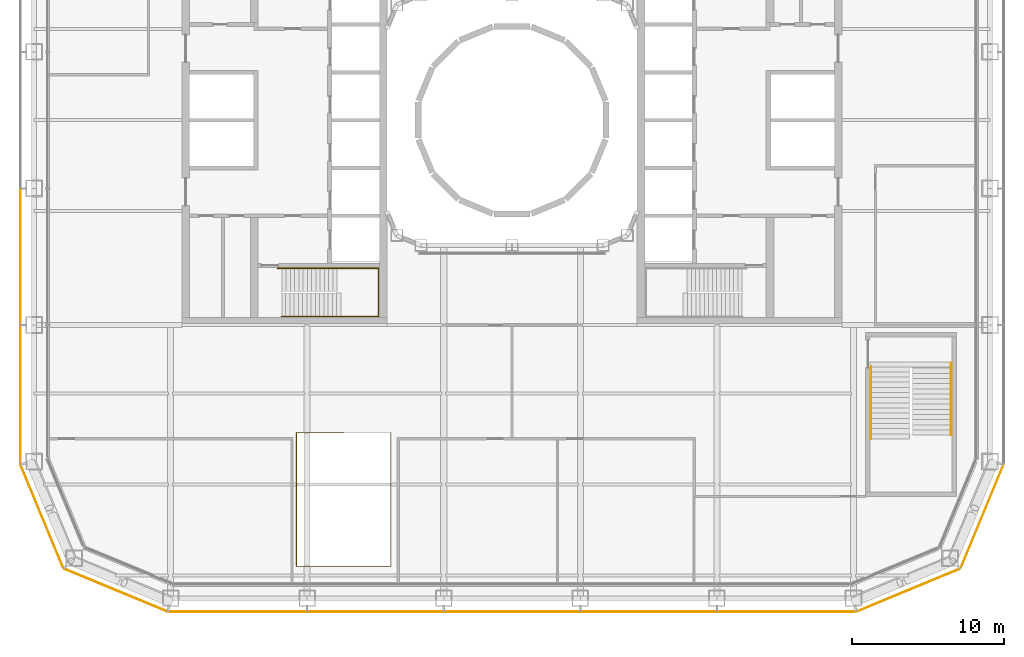
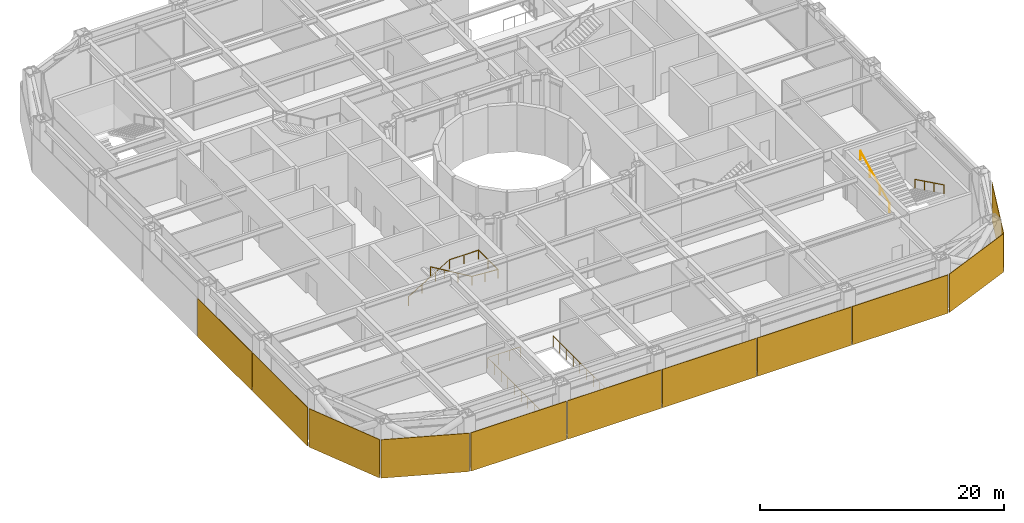
# One storey, part 20 of 24: 11 coverings, 4 railings.
"""IFC4 building model written with IfcOpenShell, lengths in metres."""

from ifc_helpers import new_model, si_unit, direction, frame, origin, origin_2d, place, context, subcontext, project, spatial, rectangle, circle, extrude, material, layer, layer_set, type_object, element, save


model = new_model("IFC4")

# Units and contexts
model_context = context("Model", 3, precision=1e-05, world=origin(), true_north=direction((0.0, 1.0)))
body_context = subcontext(model_context, "Body", "Model", "MODEL_VIEW")
ifc_project = project(units=[si_unit("LENGTHUNIT", "METRE"), si_unit("AREAUNIT", "SQUARE_METRE"), si_unit("VOLUMEUNIT", "CUBIC_METRE"), si_unit("PLANEANGLEUNIT", "RADIAN"), si_unit("MASSUNIT", "GRAM", prefix="KILO")], contexts=[model_context])

# Site, building, storey
site_placement = place(None, origin())
site = spatial("IfcSite", under=ifc_project, at=site_placement, CompositionType="ELEMENT")
building_placement = place(site_placement, origin())
building = spatial("IfcBuilding", under=site, at=building_placement, Name="Siwar Civic Tower", CompositionType="ELEMENT")
storey_placement = place(building_placement, frame((0.0, 0.0, 12.199951171875)))
storey = spatial("IfcBuildingStorey", under=building, at=storey_placement, Name="L02", CompositionType="ELEMENT", Elevation=12.199951171875)

# Railing
ifc_material_1 = material(Name="Stainless steel", Category="steel")
railing_type_1 = type_object("IfcRailingType", Name="CORE-STAIR-HANDRAIL", PredefinedType="HANDRAIL", material=ifc_material_1)
railing_1_placement = place(storey_placement, frame((-15.449951171875, -9.758056640625, 0.166748046875)))
element("IfcRailing", 1, at=railing_1_placement, inside=storey, type_object=railing_type_1, Name="Stair handrail ST2", PredefinedType="HANDRAIL", context=body_context, shape_type="SweptSolid", body=[
    extrude(circle(Radius=0.02001953125, at=origin_2d()), frame((0.0, 0.0, 0.8798828125), z_axis=(0.856384976194, 0.0, 0.516337847296), x_axis=(0.0, 1.0, 0.0)), (0.0, 0.0, 1.0), 4.518798828125),
    extrude(circle(Radius=0.02001953125, at=origin_2d()), frame((3.869873046875, 0.0, 3.213134765625), z_axis=(1.0, 0.0, 0.0), x_axis=(0.0, 1.0, 0.0)), (0.0, 0.0, 1.0), 2.77197265625),
    extrude(circle(Radius=0.02001953125, at=origin_2d()), frame((6.641845703125, 0.0, 3.213134765625), z_axis=(0.0, -1.0, 0.0), x_axis=(1.0, 0.0, 0.0)), (0.0, 0.0, 1.0), 3.183837890625),
    extrude(circle(Radius=0.02001953125, at=origin_2d()), frame((6.641845703125, -3.183837890625, 3.213134765625), z_axis=(-0.997732526271, 0.0, 0.067303833624), x_axis=(0.0, -1.0, 0.0)), (0.0, 0.0, 1.0), 2.4775390625),
    extrude(circle(Radius=0.02001953125, at=origin_2d()), frame((4.169921875, -3.183837890625, 3.3798828125), z_axis=(-0.859296244711, 0.0, 0.511478214419), x_axis=(0.0, -1.0, 0.0)), (0.0, 0.0, 1.0), 4.561767578125),
    extrude(circle(Radius=0.02001953125, at=origin_2d()), origin(), (0.0, 0.0, 1.0), 0.85986328125),
    extrude(circle(Radius=0.02001953125, at=origin_2d()), frame((1.2900390625, 0.0, 0.77783203125)), (0.0, 0.0, 1.0), 0.85986328125),
    extrude(circle(Radius=0.02001953125, at=origin_2d()), frame((2.579833984375, 0.0, 1.555419921875)), (0.0, 0.0, 1.0), 0.85986328125),
    extrude(circle(Radius=0.02001953125, at=origin_2d()), frame((3.869873046875, 0.0, 2.333251953125)), (0.0, 0.0, 1.0), 0.85986328125),
    extrude(circle(Radius=0.02001953125, at=origin_2d()), frame((5.255859375, 0.0, 2.333251953125)), (0.0, 0.0, 1.0), 0.85986328125),
    extrude(circle(Radius=0.02001953125, at=origin_2d()), frame((6.641845703125, 0.0, 2.333251953125)), (0.0, 0.0, 1.0), 0.85986328125),
    extrude(circle(Radius=0.02001953125, at=origin_2d()), frame((6.641845703125, -1.591796875, 2.333251953125)), (0.0, 0.0, 1.0), 0.85986328125),
    extrude(circle(Radius=0.02001953125, at=origin_2d()), frame((6.641845703125, -3.183837890625, 2.333251953125)), (0.0, 0.0, 1.0), 0.85986328125),
    extrude(circle(Radius=0.02001953125, at=origin_2d()), frame((5.40576171875, -3.183837890625, 2.41650390625)), (0.0, 0.0, 1.0), 0.85986328125),
    extrude(circle(Radius=0.02001953125, at=origin_2d()), frame((4.169921875, -3.183837890625, 2.5)), (0.0, 0.0, 1.0), 0.85986328125),
    extrude(circle(Radius=0.02001953125, at=origin_2d()), frame((2.86328125, -3.183837890625, 3.27783203125)), (0.0, 0.0, 1.0), 0.85986328125),
    extrude(circle(Radius=0.02001953125, at=origin_2d()), frame((1.556640625, -3.183837890625, 4.055419921875)), (0.0, 0.0, 1.0), 0.85986328125),
    extrude(circle(Radius=0.02001953125, at=origin_2d()), frame((0.25, -3.183837890625, 4.833251953125)), (0.0, 0.0, 1.0), 0.85986328125),
])

# Coverings
ifc_material_2 = material(Name="Perforated aluminium cassette, pale metal", Category="aluminium")
ifc_layer_1 = layer(ifc_material_2, 0.044921875)
ifc_layer_set_1 = layer_set([ifc_layer_1], Name="Perforated aluminium cassette, pale metal")
covering_type_1 = type_object("IfcCoveringType", Name="ENV-OUTER SKIN OS-2", PredefinedType="CLADDING", material=ifc_layer_set_1)
covering_1_placement = place(storey_placement, frame((30.976318359375, -26.115966796875, -0.199951171875), z_axis=(0.0, 0.0, 1.0), x_axis=(0.382683432365, 0.923879532511, 0.0)))
element("IfcCovering", 2, at=covering_1_placement, inside=storey, type_object=covering_type_1, Name="OUTER SKIN OS-2 SE2 1", PredefinedType="CLADDING", context=body_context, shape_type="SweptSolid", body=[
    extrude(rectangle(XDim=7.300048828125, YDim=0.044921875, at=origin_2d()), origin(), (0.0, 0.0, 1.0), 3.85009765625),
])
ifc_material_3 = material(Name="Perforated aluminium cassette, pale metal", Category="aluminium")
ifc_layer_2 = layer(ifc_material_3, 0.050048828125)
ifc_layer_set_2 = layer_set([ifc_layer_2], Name="Perforated aluminium cassette, pale metal")
covering_type_2 = type_object("IfcCoveringType", Name="ENV-OUTER SKIN OS-3", PredefinedType="CLADDING", material=ifc_layer_set_2)
covering_2_placement = place(storey_placement, frame((26.115966796875, -30.976318359375, -0.199951171875), z_axis=(0.0, 0.0, 1.0), x_axis=(0.923879532511, 0.382683432365, 0.0)))
element("IfcCovering", 3, at=covering_2_placement, inside=storey, type_object=covering_type_2, Name="OUTER SKIN OS-3 SE1 1", PredefinedType="CLADDING", context=body_context, shape_type="SweptSolid", body=[
    extrude(rectangle(XDim=7.300048828125, YDim=0.050048828125, at=origin_2d()), origin(), (0.0, 0.0, 1.0), 3.85009765625),
])
covering_3_placement = place(storey_placement, frame((-32.39990234375, -9.0, -0.199951171875), z_axis=(0.0, 0.0, 1.0), x_axis=(0.0, -1.0, 0.0)))
element("IfcCovering", 4, at=covering_3_placement, inside=storey, type_object=covering_type_2, Name="OUTER SKIN OS-3 W 4", PredefinedType="CLADDING", context=body_context, shape_type="SweptSolid", body=[
    extrude(rectangle(XDim=8.89990234375, YDim=0.050048828125, at=origin_2d()), origin(), (0.0, 0.0, 1.0), 3.85009765625),
])
covering_4_placement = place(storey_placement, frame((-32.39990234375, -18.07958984375, -0.199951171875), z_axis=(0.0, 0.0, 1.0), x_axis=(0.0, -1.0, 0.0)))
element("IfcCovering", 5, at=covering_4_placement, inside=storey, type_object=covering_type_2, Name="OUTER SKIN OS-3 W 5", PredefinedType="CLADDING", context=body_context, shape_type="SweptSolid", body=[
    extrude(rectangle(XDim=9.05908203125, YDim=0.050048828125, at=origin_2d()), origin(), (0.0, 0.0, 1.0), 3.85009765625),
])
ifc_material_4 = material(Name="Perforated aluminium cassette, pale metal", Category="aluminium")
ifc_layer_3 = layer(ifc_material_4, 0.054931640625)
ifc_layer_set_3 = layer_set([ifc_layer_3], Name="Perforated aluminium cassette, pale metal")
covering_type_3 = type_object("IfcCoveringType", Name="ENV-OUTER SKIN OS-4", PredefinedType="CLADDING", material=ifc_layer_set_3)
covering_5_placement = place(storey_placement, frame((-18.07958984375, -32.39990234375, -0.199951171875), z_axis=(0.0, 0.0, 1.0), x_axis=(1.0, 0.0, 0.0)))
element("IfcCovering", 6, at=covering_5_placement, inside=storey, type_object=covering_type_3, Name="OUTER SKIN OS-4 S 1", PredefinedType="CLADDING", context=body_context, shape_type="SweptSolid", body=[
    extrude(rectangle(XDim=9.05908203125, YDim=0.054931640625, at=origin_2d()), origin(), (0.0, 0.0, 1.0), 3.85009765625),
])
for number, where, z_axis, x_axis, name in (
    (7, (-9.0, -32.39990234375, -0.199951171875), (0.0, 0.0, 1.0), (1.0, 0.0, 0.0), "OUTER SKIN OS-4 S 2"),
    (8, (0.0, -32.39990234375, -0.199951171875), (0.0, 0.0, 1.0), (1.0, 0.0, 0.0), "OUTER SKIN OS-4 S 3"),
    (9, (9.0, -32.39990234375, -0.199951171875), (0.0, 0.0, 1.0), (1.0, 0.0, 0.0), "OUTER SKIN OS-4 S 4"),
):
    element("IfcCovering", number, at=place(storey_placement, frame(where, z_axis=z_axis, x_axis=x_axis)), inside=storey, type_object=covering_type_3, Name=name, PredefinedType="CLADDING", context=body_context, shape_type="SweptSolid", body=[
        extrude(rectangle(XDim=8.89990234375, YDim=0.054931640625, at=origin_2d()), origin(), (0.0, 0.0, 1.0), 3.85009765625),
    ])
covering_6_placement = place(storey_placement, frame((18.07958984375, -32.39990234375, -0.199951171875), z_axis=(0.0, 0.0, 1.0), x_axis=(1.0, 0.0, 0.0)))
element("IfcCovering", 10, at=covering_6_placement, inside=storey, type_object=covering_type_3, Name="OUTER SKIN OS-4 S 5", PredefinedType="CLADDING", context=body_context, shape_type="SweptSolid", body=[
    extrude(rectangle(XDim=9.05908203125, YDim=0.054931640625, at=origin_2d()), origin(), (0.0, 0.0, 1.0), 3.85009765625),
])
for number, where, z_axis, x_axis, name in (
    (11, (-30.976318359375, -26.115966796875, -0.199951171875), (0.0, 0.0, 1.0), (0.382683432365, -0.923879532511, 0.0), "OUTER SKIN OS-4 SW1 1"),
    (12, (-26.115966796875, -30.976318359375, -0.199951171875), (0.0, 0.0, 1.0), (0.923879532511, -0.382683432365, 0.0), "OUTER SKIN OS-4 SW2 1"),
):
    element("IfcCovering", number, at=place(storey_placement, frame(where, z_axis=z_axis, x_axis=x_axis)), inside=storey, type_object=covering_type_3, Name=name, PredefinedType="CLADDING", context=body_context, shape_type="SweptSolid", body=[
        extrude(rectangle(XDim=7.300048828125, YDim=0.054931640625, at=origin_2d()), origin(), (0.0, 0.0, 1.0), 3.85009765625),
    ])

# Railings
ifc_material_5 = material(Name="Stainless steel", Category="steel")
railing_type_2 = type_object("IfcRailingType", Name="GND-HANDRAIL", PredefinedType="HANDRAIL", material=ifc_material_5)
railing_2_placement = place(storey_placement, frame((28.94189453125, -16.0, 0.166748046875)))
element("IfcRailing", 13, at=railing_2_placement, inside=storey, type_object=railing_type_2, Name="Stair handrail ST6", PredefinedType="HANDRAIL", context=body_context, shape_type="SweptSolid", body=[
    extrude(circle(Radius=0.02001953125, at=origin_2d()), frame((0.0, 0.0, 0.8798828125), z_axis=(0.0, -0.897927146867, 0.440144111535), x_axis=(1.0, 0.0, 0.0)), (0.0, 0.0, 1.0), 5.301025390625),
    extrude(circle(Radius=0.02001953125, at=origin_2d()), origin(), (0.0, 0.0, 1.0), 0.85986328125),
    extrude(circle(Radius=0.02001953125, at=origin_2d()), frame((0.0, -1.586669921875, 0.77783203125)), (0.0, 0.0, 1.0), 0.85986328125),
    extrude(circle(Radius=0.02001953125, at=origin_2d()), frame((0.0, -3.17333984375, 1.555419921875)), (0.0, 0.0, 1.0), 0.85986328125),
    extrude(circle(Radius=0.02001953125, at=origin_2d()), frame((0.0, -4.760009765625, 2.333251953125)), (0.0, 0.0, 1.0), 0.85986328125),
])
railing_3_placement = place(storey_placement, frame((23.657958984375, -21.010009765625, 2.666748046875)))
element("IfcRailing", 14, at=railing_3_placement, inside=storey, type_object=railing_type_2, Name="Stair handrail ST6", PredefinedType="HANDRAIL", context=body_context, shape_type="SweptSolid", body=[
    extrude(circle(Radius=0.02001953125, at=origin_2d()), frame((0.0, 0.0, 0.8798828125), z_axis=(0.0, 0.897927146867, 0.440144111535), x_axis=(-1.0, 0.0, 0.0)), (0.0, 0.0, 1.0), 5.301025390625),
    extrude(circle(Radius=0.02001953125, at=origin_2d()), origin(), (0.0, 0.0, 1.0), 0.85986328125),
    extrude(circle(Radius=0.02001953125, at=origin_2d()), frame((0.0, 1.586669921875, 0.77783203125)), (0.0, 0.0, 1.0), 0.85986328125),
    extrude(circle(Radius=0.02001953125, at=origin_2d()), frame((0.0, 3.17333984375, 1.555419921875)), (0.0, 0.0, 1.0), 0.85986328125),
    extrude(circle(Radius=0.02001953125, at=origin_2d()), frame((0.0, 4.760009765625, 2.333251953125)), (0.0, 0.0, 1.0), 0.85986328125),
])
ifc_material_6 = material(Name="Stainless steel", Category="steel")
railing_type_3 = type_object("IfcRailingType", Name="GND-RAIL", PredefinedType="GUARDRAIL", material=ifc_material_6)
railing_4_placement = place(storey_placement, frame((-11.10009765625, -20.60009765625, 0.0)))
element("IfcRailing", 15, at=railing_4_placement, inside=storey, type_object=railing_type_3, Name="Opening guard GS1", PredefinedType="GUARDRAIL", context=body_context, shape_type="SweptSolid", body=[
    extrude(circle(Radius=0.02392578125, at=origin_2d()), frame((0.0, 0.0, 1.076171875), z_axis=(-1.0, 0.0, 0.0), x_axis=(0.0, -1.0, 0.0)), (0.0, 0.0, 1.0), 3.099853515625),
    extrude(circle(Radius=0.02392578125, at=origin_2d()), frame((-3.099853515625, 0.0, 1.076171875), z_axis=(0.0, -1.0, 0.0), x_axis=(1.0, 0.0, 0.0)), (0.0, 0.0, 1.0), 8.7998046875),
    extrude(circle(Radius=0.02392578125, at=origin_2d()), frame((-3.099853515625, -8.7998046875, 1.076171875), z_axis=(1.0, 0.0, 0.0), x_axis=(0.0, 1.0, 0.0)), (0.0, 0.0, 1.0), 6.199951171875),
    extrude(circle(Radius=0.02392578125, at=origin_2d()), frame((3.10009765625, -8.7998046875, 1.076171875), z_axis=(0.0, 1.0, 0.0), x_axis=(-1.0, 0.0, 0.0)), (0.0, 0.0, 1.0), 8.7998046875),
    extrude(circle(Radius=0.02099609375, at=origin_2d()), origin(), (0.0, 0.0, 1.0), 1.052001953125),
    extrude(circle(Radius=0.02099609375, at=origin_2d()), frame((-1.033203125, 0.0, 0.0)), (0.0, 0.0, 1.0), 1.052001953125),
    extrude(circle(Radius=0.02099609375, at=origin_2d()), frame((-2.066650390625, 0.0, 0.0)), (0.0, 0.0, 1.0), 1.052001953125),
    extrude(circle(Radius=0.02099609375, at=origin_2d()), frame((-3.099853515625, 0.0, 0.0)), (0.0, 0.0, 1.0), 1.052001953125),
    extrude(circle(Radius=0.02099609375, at=origin_2d()), frame((-3.099853515625, -1.10009765625, 0.0)), (0.0, 0.0, 1.0), 1.052001953125),
    extrude(circle(Radius=0.02099609375, at=origin_2d()), frame((-3.099853515625, -2.199951171875, 0.0)), (0.0, 0.0, 1.0), 1.052001953125),
    extrude(circle(Radius=0.02099609375, at=origin_2d()), frame((-3.099853515625, -3.2998046875, 0.0)), (0.0, 0.0, 1.0), 1.052001953125),
    extrude(circle(Radius=0.02099609375, at=origin_2d()), frame((-3.099853515625, -4.39990234375, 0.0)), (0.0, 0.0, 1.0), 1.052001953125),
    extrude(circle(Radius=0.02099609375, at=origin_2d()), frame((-3.099853515625, -5.5, 0.0)), (0.0, 0.0, 1.0), 1.052001953125),
    extrude(circle(Radius=0.02099609375, at=origin_2d()), frame((-3.099853515625, -6.599853515625, 0.0)), (0.0, 0.0, 1.0), 1.052001953125),
    extrude(circle(Radius=0.02099609375, at=origin_2d()), frame((-3.099853515625, -7.69970703125, 0.0)), (0.0, 0.0, 1.0), 1.052001953125),
    extrude(circle(Radius=0.02099609375, at=origin_2d()), frame((-3.099853515625, -8.7998046875, 0.0)), (0.0, 0.0, 1.0), 1.052001953125),
    extrude(circle(Radius=0.02099609375, at=origin_2d()), frame((-2.06640625, -8.7998046875, 0.0)), (0.0, 0.0, 1.0), 1.052001953125),
    extrude(circle(Radius=0.02099609375, at=origin_2d()), frame((-1.033203125, -8.7998046875, 0.0)), (0.0, 0.0, 1.0), 1.052001953125),
    extrude(circle(Radius=0.02099609375, at=origin_2d()), frame((0.0, -8.7998046875, 0.0)), (0.0, 0.0, 1.0), 1.052001953125),
    extrude(circle(Radius=0.02099609375, at=origin_2d()), frame((1.033447265625, -8.7998046875, 0.0)), (0.0, 0.0, 1.0), 1.052001953125),
    extrude(circle(Radius=0.02099609375, at=origin_2d()), frame((2.06689453125, -8.7998046875, 0.0)), (0.0, 0.0, 1.0), 1.052001953125),
    extrude(circle(Radius=0.02099609375, at=origin_2d()), frame((3.10009765625, -8.7998046875, 0.0)), (0.0, 0.0, 1.0), 1.052001953125),
    extrude(circle(Radius=0.02099609375, at=origin_2d()), frame((3.10009765625, -7.69970703125, 0.0)), (0.0, 0.0, 1.0), 1.052001953125),
    extrude(circle(Radius=0.02099609375, at=origin_2d()), frame((3.10009765625, -6.599853515625, 0.0)), (0.0, 0.0, 1.0), 1.052001953125),
    extrude(circle(Radius=0.02099609375, at=origin_2d()), frame((3.10009765625, -5.5, 0.0)), (0.0, 0.0, 1.0), 1.052001953125),
    extrude(circle(Radius=0.02099609375, at=origin_2d()), frame((3.10009765625, -4.39990234375, 0.0)), (0.0, 0.0, 1.0), 1.052001953125),
    extrude(circle(Radius=0.02099609375, at=origin_2d()), frame((3.10009765625, -3.2998046875, 0.0)), (0.0, 0.0, 1.0), 1.052001953125),
    extrude(circle(Radius=0.02099609375, at=origin_2d()), frame((3.10009765625, -2.199951171875, 0.0)), (0.0, 0.0, 1.0), 1.052001953125),
    extrude(circle(Radius=0.02099609375, at=origin_2d()), frame((3.10009765625, -1.10009765625, 0.0)), (0.0, 0.0, 1.0), 1.052001953125),
    extrude(circle(Radius=0.02099609375, at=origin_2d()), frame((3.10009765625, 0.0, 0.0)), (0.0, 0.0, 1.0), 1.052001953125),
])

save(model, "model.ifc")
